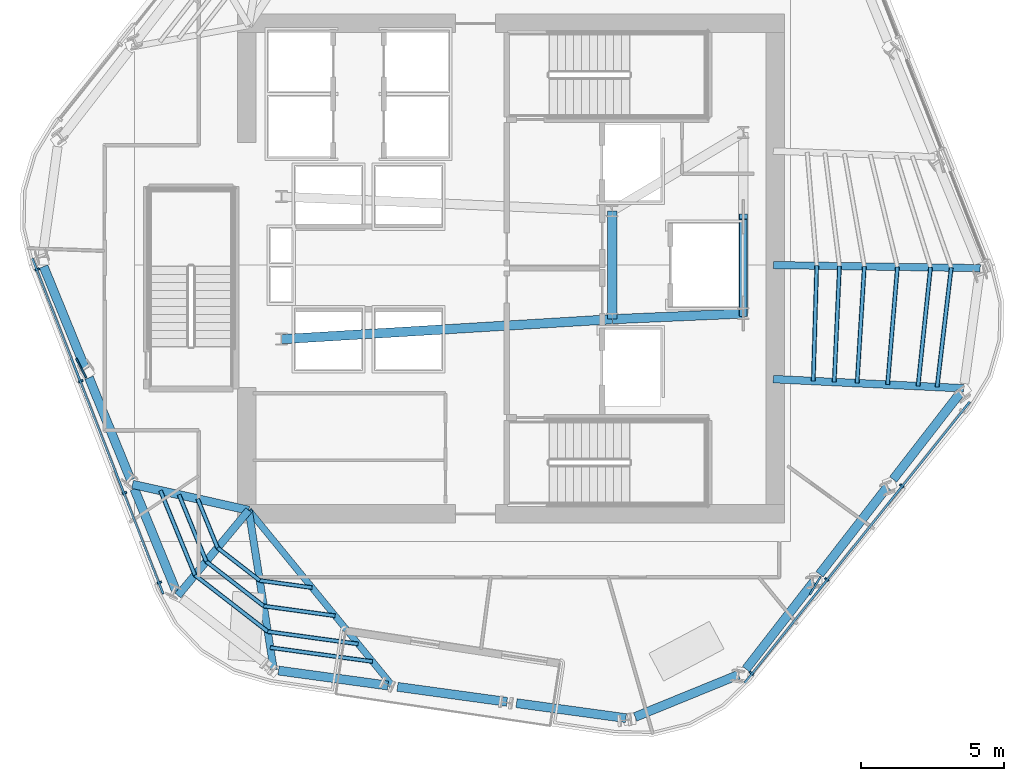
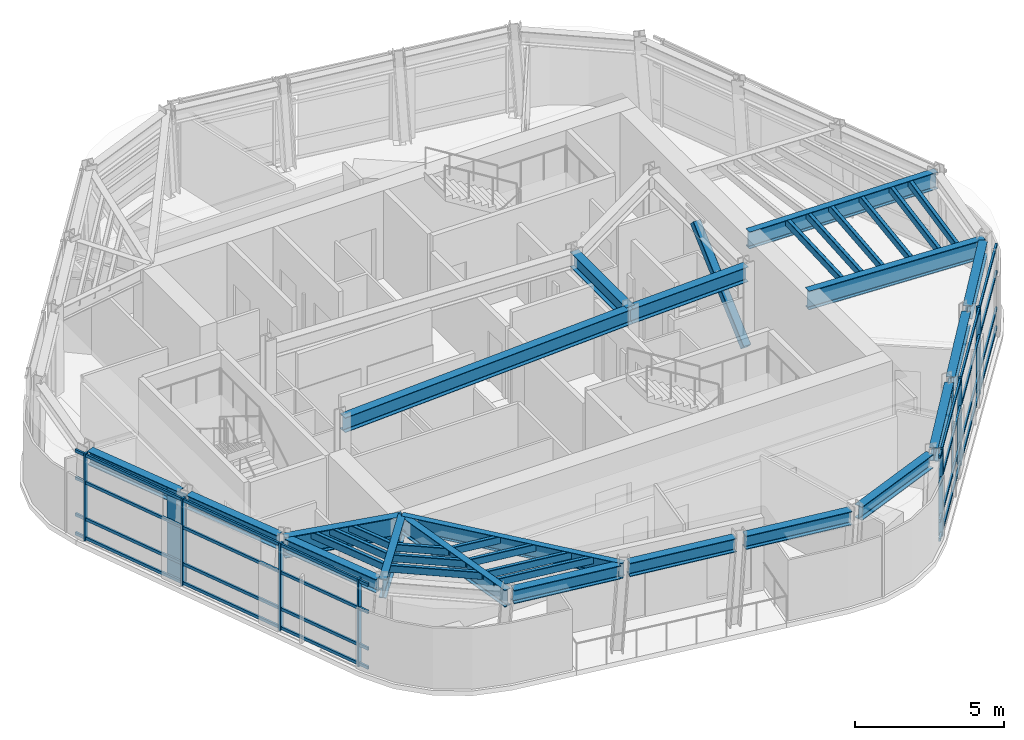
# One storey, part 2 of 12: 34 members, 19 beams, 2 elements without a shape of their own.
"""IFC4 building model written with IfcOpenShell, lengths in metres."""

from ifc_helpers import new_model, si_unit, direction, frame, origin, origin_2d, place, context, subcontext, project, spatial, rectangle, hollow_rectangle, i_section, extrude, material, layer, layer_set, material_profile, profile_set, type_object, element, aggregate, save


model = new_model("IFC4")

# Units and contexts
model_context = context("Model", 3, precision=1e-05, world=origin(), true_north=direction((0.0, 1.0)))
body_context = subcontext(model_context, "Body", "Model", "MODEL_VIEW")
ifc_project = project(units=[si_unit("LENGTHUNIT", "METRE"), si_unit("AREAUNIT", "SQUARE_METRE"), si_unit("VOLUMEUNIT", "CUBIC_METRE"), si_unit("PLANEANGLEUNIT", "RADIAN"), si_unit("MASSUNIT", "GRAM", prefix="KILO")], contexts=[model_context])

# Site, building, storey
site_placement = place(None, origin())
site = spatial("IfcSite", under=ifc_project, at=site_placement, CompositionType="ELEMENT")
building_placement = place(site_placement, origin())
building = spatial("IfcBuilding", under=site, at=building_placement, Name="Valkerne Bourse Tower", CompositionType="ELEMENT")
storey_placement = place(building_placement, frame((0.0, 0.0, 243.60009765625)))
storey = spatial("IfcBuildingStorey", under=building, at=storey_placement, Name="L62", CompositionType="ELEMENT", Elevation=243.60009765625)

# Beams
ifc_material_1 = material(Name="Steel ASTM A992", Category="steel")
ifc_material_profile_1 = material_profile(ifc_material_1, i_section(OverallWidth=0.31494140625, OverallDepth=0.5537109375, WebThickness=0.0166015625, FlangeThickness=0.026123046875, FilletRadius=0.020263671875, at=origin_2d()), Name="W21X132")
ifc_profile_set_1 = profile_set([ifc_material_profile_1], Name="Steel ASTM A992")
beam_type_1 = type_object("IfcBeamType", Name="BM-W21X132", PredefinedType="BEAM", material=ifc_profile_set_1)
for number, where, z_axis, x_axis, name in (
    (1, (30.40478515625, 26.949462890625, 3.322998046875), (0.377871627849, -0.925857998219, 0.0), (0.925857998219, 0.377871627849, 0.0), "L62 Hexagonal Spandrel Ring Beam 08"),
    (2, (31.996337890625, 23.0498046875, 3.322998046875), (0.377871627849, -0.925857998219, 0.0), (0.925857998219, 0.377871627849, 0.0), "L62 Hexagonal Spandrel Ring Beam 09"),
    (3, (33.587890625, 19.14990234375, 3.322998046875), (0.377817576779, -0.925880056312, 0.0), (0.925880056312, 0.377817576779, 0.0), "L62 Hexagonal Spandrel Ring Beam 10"),
):
    element("IfcBeam", number, at=place(storey_placement, frame(where, z_axis=z_axis, x_axis=x_axis)), inside=storey, type_object=beam_type_1, Name=name, PredefinedType="BEAM", context=body_context, shape_type="SweptSolid", body=[
        extrude(i_section(OverallWidth=0.31494140625, OverallDepth=0.5537109375, WebThickness=0.0166015625, FlangeThickness=0.026123046875, FilletRadius=0.020263671875, at=origin_2d()), origin(), (0.0, 0.0, 1.0), 3.8720703125),
    ])
for number, where, z_axis, x_axis, name in (
    (4, (38.64599609375, 12.776123046875, 3.322998046875), (0.990752504612, -0.135681519023, 0.0), (0.135681519023, 0.990752504612, 0.0), "L62 Hexagonal Spandrel Ring Beam 12"),
    (5, (42.819091796875, 12.20458984375, 3.322998046875), (0.990752504612, -0.135681519023, 0.0), (0.135681519023, 0.990752504612, 0.0), "L62 Hexagonal Spandrel Ring Beam 13"),
):
    element("IfcBeam", number, at=place(storey_placement, frame(where, z_axis=z_axis, x_axis=x_axis)), inside=storey, type_object=beam_type_1, Name=name, PredefinedType="BEAM", context=body_context, shape_type="SweptSolid", body=[
        extrude(i_section(OverallWidth=0.31494140625, OverallDepth=0.5537109375, WebThickness=0.0166015625, FlangeThickness=0.026123046875, FilletRadius=0.020263671875, at=origin_2d()), origin(), (0.0, 0.0, 1.0), 3.872314453125),
    ])
beam_1_placement = place(storey_placement, frame((46.9921875, 11.633056640625, 3.322998046875), z_axis=(0.990742865414, -0.135751886288, 0.0), x_axis=(0.135751886288, 0.990742865414, 0.0)))
element("IfcBeam", 6, at=beam_1_placement, inside=storey, type_object=beam_type_1, Name="L62 Hexagonal Spandrel Ring Beam 14", PredefinedType="BEAM", context=body_context, shape_type="SweptSolid", body=[
    extrude(i_section(OverallWidth=0.31494140625, OverallDepth=0.5537109375, WebThickness=0.0166015625, FlangeThickness=0.026123046875, FilletRadius=0.020263671875, at=origin_2d()), origin(), (0.0, 0.0, 1.0), 3.8720703125),
])
beam_2_placement = place(storey_placement, frame((51.154296875, 11.148681640625, 3.322998046875), z_axis=(0.925865451176, 0.377853366161, 0.0), x_axis=(-0.377853366161, 0.925865451176, 0.0)))
element("IfcBeam", 7, at=beam_2_placement, inside=storey, type_object=beam_type_1, Name="L62 Hexagonal Spandrel Ring Beam 15", PredefinedType="BEAM", context=body_context, shape_type="SweptSolid", body=[
    extrude(i_section(OverallWidth=0.31494140625, OverallDepth=0.5537109375, WebThickness=0.0166015625, FlangeThickness=0.026123046875, FilletRadius=0.020263671875, at=origin_2d()), origin(), (0.0, 0.0, 1.0), 3.91552734375),
])
for number, where, z_axis, x_axis, name in (
    (8, (55.041259765625, 12.82666015625, 3.322998046875), (0.6128749443, 0.790179917898, 0.0), (-0.790179917898, 0.6128749443, 0.0), "L62 Hexagonal Spandrel Ring Beam 16"),
    (9, (57.622802734375, 16.15478515625, 3.322998046875), (0.6128749443, 0.790179917898, 0.0), (-0.790179917898, 0.6128749443, 0.0), "L62 Hexagonal Spandrel Ring Beam 17"),
    (10, (60.204345703125, 19.48291015625, 3.322998046875), (0.6128749443, 0.790179917898, 0.0), (-0.790179917898, 0.6128749443, 0.0), "L62 Hexagonal Spandrel Ring Beam 18"),
):
    element("IfcBeam", number, at=place(storey_placement, frame(where, z_axis=z_axis, x_axis=x_axis)), inside=storey, type_object=beam_type_1, Name=name, PredefinedType="BEAM", context=body_context, shape_type="SweptSolid", body=[
        extrude(i_section(OverallWidth=0.31494140625, OverallDepth=0.5537109375, WebThickness=0.0166015625, FlangeThickness=0.026123046875, FilletRadius=0.020263671875, at=origin_2d()), origin(), (0.0, 0.0, 1.0), 3.8720703125),
    ])
ifc_material_profile_2 = material_profile(ifc_material_1, i_section(OverallWidth=0.3251953125, OverallDepth=0.612060546875, WebThickness=0.0126953125, FlangeThickness=0.01904296875, FilletRadius=0.020263671875, at=origin_2d()), Name="W24X104")
ifc_profile_set_2 = profile_set([ifc_material_profile_2], Name="Steel ASTM A992")
beam_type_2 = type_object("IfcBeamType", Name="BM-W24X104", PredefinedType="BEAM", material=ifc_profile_set_2)
beam_3_placement = place(storey_placement, frame((50.35009765625, 25.10009765625, 3.293701171875), z_axis=(0.0, 1.0, 0.0), x_axis=(-1.0, 0.0, 0.0)))
element("IfcBeam", 11, at=beam_3_placement, inside=storey, type_object=beam_type_2, Name="L62 Core Frame Girder CG-CE", PredefinedType="BEAM", context=body_context, shape_type="SweptSolid", body=[
    extrude(i_section(OverallWidth=0.3251953125, OverallDepth=0.612060546875, WebThickness=0.0126953125, FlangeThickness=0.01904296875, FilletRadius=0.020263671875, at=origin_2d()), origin(), (0.0, 0.0, 1.0), 3.7998046875),
])
beam_4_placement = place(storey_placement, frame((50.35009765625, 25.10009765625, 3.293701171875), z_axis=(0.999056558506, 0.043428019819, 0.0), x_axis=(-0.043428019819, 0.999056558506, 0.0)))
element("IfcBeam", 12, at=beam_4_placement, inside=storey, type_object=beam_type_2, Name="L62 Core Frame Girder CG-SE", PredefinedType="BEAM", context=body_context, shape_type="SweptSolid", body=[
    extrude(i_section(OverallWidth=0.3251953125, OverallDepth=0.612060546875, WebThickness=0.0126953125, FlangeThickness=0.01904296875, FilletRadius=0.020263671875, at=origin_2d()), origin(), (0.0, 0.0, 1.0), 4.604248046875),
])
beam_5_placement = place(storey_placement, frame((38.75, 24.39990234375, 3.293701171875), z_axis=(0.998183228389, 0.060251494276, 0.0), x_axis=(-0.060251494276, 0.998183228389, 0.0)))
element("IfcBeam", 13, at=beam_5_placement, inside=storey, type_object=beam_type_2, Name="L62 Core Frame Girder CG-SW", PredefinedType="BEAM", context=body_context, shape_type="SweptSolid", body=[
    extrude(i_section(OverallWidth=0.3251953125, OverallDepth=0.612060546875, WebThickness=0.0126953125, FlangeThickness=0.01904296875, FilletRadius=0.020263671875, at=origin_2d()), origin(), (0.0, 0.0, 1.0), 11.62109375),
])
ifc_material_profile_3 = material_profile(ifc_material_1, i_section(OverallWidth=0.228271484375, OverallDepth=0.607177734375, WebThickness=0.01123046875, FlangeThickness=0.017333984375, FilletRadius=0.017822265625, at=origin_2d()), Name="W24X76")
ifc_profile_set_3 = profile_set([ifc_material_profile_3], Name="Steel ASTM A992")
beam_type_3 = type_object("IfcBeamType", Name="BM-W24X76", PredefinedType="JOIST", material=ifc_profile_set_3)
beam_6_placement = place(storey_placement, frame((42.65087890625, 12.227783203125, 3.29638671875), z_axis=(-0.633302800816, 0.773904104188, 0.0), x_axis=(-0.773904104188, -0.633302800816, 0.0)))
element("IfcBeam", 14, at=beam_6_placement, inside=storey, type_object=beam_type_3, Name="L62 Radial Composite Floor Beam 13", PredefinedType="JOIST", context=body_context, shape_type="SweptSolid", body=[
    extrude(i_section(OverallWidth=0.228271484375, OverallDepth=0.607177734375, WebThickness=0.01123046875, FlangeThickness=0.017333984375, FilletRadius=0.017822265625, at=origin_2d()), origin(), (0.0, 0.0, 1.0), 7.975341796875),
])
ifc_material_profile_4 = material_profile(ifc_material_1, i_section(OverallWidth=0.255859375, OverallDepth=0.693359375, WebThickness=0.014404296875, FlangeThickness=0.023681640625, FilletRadius=0.02294921875, at=origin_2d()), Name="W27X114")
ifc_profile_set_4 = profile_set([ifc_material_profile_4], Name="Steel ASTM A992")
beam_type_4 = type_object("IfcBeamType", Name="BM-W27X114", PredefinedType="BEAM", material=ifc_profile_set_4)
beam_7_placement = place(storey_placement, frame((38.477783203125, 12.79931640625, 3.253173828125), z_axis=(-0.154823539351, 0.987942139836, 0.0), x_axis=(-0.987942139836, -0.154823539351, 0.0)))
element("IfcBeam", 15, at=beam_7_placement, inside=storey, type_object=beam_type_4, Name="L62 Radial Composite Floor Beam 12", PredefinedType="BEAM", context=body_context, shape_type="SweptSolid", body=[
    extrude(i_section(OverallWidth=0.255859375, OverallDepth=0.693359375, WebThickness=0.014404296875, FlangeThickness=0.023681640625, FilletRadius=0.02294921875, at=origin_2d()), origin(), (0.0, 0.0, 1.0), 5.6689453125),
])
beam_8_placement = place(storey_placement, frame((63.25927734375, 26.89306640625, 3.253173828125), z_axis=(-0.999891522197, 0.014729013477, 0.0), x_axis=(-0.014729013477, -0.999891522197, 0.0)))
element("IfcBeam", 16, at=beam_8_placement, inside=storey, type_object=beam_type_4, Name="L62 Radial Composite Floor Beam 20", PredefinedType="BEAM", context=body_context, shape_type="SweptSolid", body=[
    extrude(i_section(OverallWidth=0.255859375, OverallDepth=0.693359375, WebThickness=0.014404296875, FlangeThickness=0.023681640625, FilletRadius=0.02294921875, at=origin_2d()), origin(), (0.0, 0.0, 1.0), 7.260009765625),
])
ifc_material_profile_5 = material_profile(ifc_material_1, i_section(OverallWidth=0.26806640625, OverallDepth=0.76953125, WebThickness=0.015625, FlangeThickness=0.025390625, FilletRadius=0.025390625, at=origin_2d()), Name="W30X132")
ifc_profile_set_5 = profile_set([ifc_material_profile_5], Name="Steel ASTM A992")
beam_type_5 = type_object("IfcBeamType", Name="BM-W30X132", PredefinedType="BEAM", material=ifc_profile_set_5)
beam_9_placement = place(storey_placement, frame((35.114990234375, 15.40771484375, 3.215087890625), z_axis=(0.638911706116, 0.769280073697, 0.0), x_axis=(-0.769280073697, 0.638911706116, 0.0)))
element("IfcBeam", 17, at=beam_9_placement, inside=storey, type_object=beam_type_5, Name="L62 Radial Composite Floor Beam 11", PredefinedType="BEAM", context=body_context, shape_type="SweptSolid", body=[
    extrude(i_section(OverallWidth=0.26806640625, OverallDepth=0.76953125, WebThickness=0.015625, FlangeThickness=0.025390625, FilletRadius=0.025390625, at=origin_2d()), origin(), (0.0, 0.0, 1.0), 3.8896484375),
])
beam_10_placement = place(storey_placement, frame((62.681640625, 22.6767578125, 3.215087890625), z_axis=(-0.998831850703, 0.048321155011, 0.0), x_axis=(-0.048321155011, -0.998831850703, 0.0)))
element("IfcBeam", 18, at=beam_10_placement, inside=storey, type_object=beam_type_5, Name="L62 Radial Composite Floor Beam 19", PredefinedType="BEAM", context=body_context, shape_type="SweptSolid", body=[
    extrude(i_section(OverallWidth=0.26806640625, OverallDepth=0.76953125, WebThickness=0.015625, FlangeThickness=0.025390625, FilletRadius=0.025390625, at=origin_2d()), origin(), (0.0, 0.0, 1.0), 6.689453125),
])
ifc_material_profile_6 = material_profile(ifc_material_1, i_section(OverallWidth=0.2919921875, OverallDepth=0.8583984375, WebThickness=0.01708984375, FlangeThickness=0.031005859375, FilletRadius=0.025390625, at=origin_2d()), Name="W33X169")
ifc_profile_set_6 = profile_set([ifc_material_profile_6], Name="Steel ASTM A992")
beam_type_6 = type_object("IfcBeamType", Name="BM-W33X169", PredefinedType="BEAM", material=ifc_profile_set_6)
beam_11_placement = place(storey_placement, frame((33.523681640625, 19.307373046875, 3.170654296875), z_axis=(0.976105835701, -0.217295645403, 0.0), x_axis=(0.217295645403, 0.976105835701, 0.0)))
element("IfcBeam", 19, at=beam_11_placement, inside=storey, type_object=beam_type_6, Name="L62 Radial Composite Floor Beam 10", PredefinedType="BEAM", context=body_context, shape_type="SweptSolid", body=[
    extrude(i_section(OverallWidth=0.2919921875, OverallDepth=0.8583984375, WebThickness=0.01708984375, FlangeThickness=0.031005859375, FilletRadius=0.025390625, at=origin_2d()), origin(), (0.0, 0.0, 1.0), 4.17626953125),
])

# Curtain wall, members
ifc_material_2 = material(Name="Aluminium AA 6063-T6", Category="aluminium")
ifc_layer = layer(ifc_material_2, 0.239990234375)
ifc_layer_set = layer_set([ifc_layer], Name="Aluminium AA 6063-T6")
curtain_wall_type = type_object("IfcCurtainWallType", Name="CW-04", PredefinedType="NOTDEFINED", material=ifc_layer_set)
curtain_wall_1_placement = place(storey_placement, origin())
curtain_wall_1 = element("IfcCurtainWall", 20, at=curtain_wall_1_placement, inside=storey, type_object=curtain_wall_type, Name="L62 Hexagonal Stick Curtain Wall Face 3", PredefinedType="NOTDEFINED")
ifc_material_profile_7 = material_profile(ifc_material_2, rectangle(XDim=0.074951171875, YDim=0.159912109375, at=origin_2d()), Name="CWM-75X160")
ifc_profile_set_7 = profile_set([ifc_material_profile_7], Name="Aluminium AA 6063-T6")
member_type_1 = type_object("IfcMemberType", Name="CW-MUL-160X75", PredefinedType="MULLION", material=ifc_profile_set_7)
member_1_placement = place(storey_placement, frame((30.18017578125, 26.8505859375, 0.0), z_axis=(0.0, 0.0, 1.0), x_axis=(0.363267586494, -0.931684850474, 0.0)))
member_1 = element("IfcMember", 21, at=member_1_placement, type_object=member_type_1, Name="CW-L62-F3 Jamb Mullion 00A", PredefinedType="MULLION", context=body_context, shape_type="SweptSolid", body=[
    extrude(rectangle(XDim=0.074951171875, YDim=0.159912109375, at=origin_2d()), origin(), (0.0, 0.0, 1.0), 3.599853515625),
])
member_2_placement = place(storey_placement, frame((31.710205078125, 22.926513671875, 0.0), z_axis=(0.0, 0.0, 1.0), x_axis=(0.363246977807, -0.93169288562, 0.0)))
member_2 = element("IfcMember", 22, at=member_2_placement, type_object=member_type_1, Name="CW-L62-F3 Jamb Mullion 01A", PredefinedType="MULLION", context=body_context, shape_type="SweptSolid", body=[
    extrude(rectangle(XDim=0.074951171875, YDim=0.159912109375, at=origin_2d()), origin(), (0.0, 0.0, 1.0), 3.599853515625),
])
member_3_placement = place(storey_placement, frame((33.240234375, 19.002197265625, 0.0), z_axis=(0.0, 0.0, 1.0), x_axis=(0.363246977807, -0.93169288562, 0.0)))
member_3 = element("IfcMember", 23, at=member_3_placement, type_object=member_type_1, Name="CW-L62-F3 Jamb Mullion 02A", PredefinedType="MULLION", context=body_context, shape_type="SweptSolid", body=[
    extrude(rectangle(XDim=0.074951171875, YDim=0.159912109375, at=origin_2d()), origin(), (0.0, 0.0, 1.0), 3.599853515625),
])
member_4_placement = place(storey_placement, frame((34.465087890625, 15.8603515625, 0.0), z_axis=(0.0, 0.0, 1.0), x_axis=(0.363246977807, -0.93169288562, 0.0)))
member_4 = element("IfcMember", 24, at=member_4_placement, type_object=member_type_1, Name="CW-L62-F3 Jamb Mullion 02B", PredefinedType="MULLION", context=body_context, shape_type="SweptSolid", body=[
    extrude(rectangle(XDim=0.074951171875, YDim=0.159912109375, at=origin_2d()), origin(), (0.0, 0.0, 1.0), 3.599853515625),
])

curtain_wall_2_placement = place(storey_placement, origin())
curtain_wall_2 = element("IfcCurtainWall", 25, at=curtain_wall_2_placement, inside=storey, type_object=curtain_wall_type, Name="L62 Hexagonal Stick Curtain Wall Face 5", PredefinedType="NOTDEFINED")
member_5_placement = place(storey_placement, frame((55.2392578125, 12.681396484375, 0.0), z_axis=(0.0, 0.0, 1.0), x_axis=(0.625236322799, 0.780435481416, 0.0)))
member_5 = element("IfcMember", 26, at=member_5_placement, type_object=member_type_1, Name="CW-L62-F5 Jamb Mullion 00A", PredefinedType="MULLION", context=body_context, shape_type="SweptSolid", body=[
    extrude(rectangle(XDim=0.074951171875, YDim=0.159912109375, at=origin_2d()), origin(), (0.0, 0.0, 1.0), 3.599853515625),
])
member_6_placement = place(storey_placement, frame((57.872802734375, 15.96875, 0.0), z_axis=(0.0, 0.0, 1.0), x_axis=(0.625236322799, 0.780435481416, 0.0)))
member_6 = element("IfcMember", 27, at=member_6_placement, type_object=member_type_1, Name="CW-L62-F5 Jamb Mullion 01A", PredefinedType="MULLION", context=body_context, shape_type="SweptSolid", body=[
    extrude(rectangle(XDim=0.074951171875, YDim=0.159912109375, at=origin_2d()), origin(), (0.0, 0.0, 1.0), 3.599853515625),
])
member_7_placement = place(storey_placement, frame((60.506103515625, 19.255859375, 0.0), z_axis=(0.0, 0.0, 1.0), x_axis=(0.625236322799, 0.780435481416, 0.0)))
member_7 = element("IfcMember", 28, at=member_7_placement, type_object=member_type_1, Name="CW-L62-F5 Jamb Mullion 02A", PredefinedType="MULLION", context=body_context, shape_type="SweptSolid", body=[
    extrude(rectangle(XDim=0.074951171875, YDim=0.159912109375, at=origin_2d()), origin(), (0.0, 0.0, 1.0), 3.599853515625),
])

# Member
ifc_material_profile_8 = material_profile(ifc_material_2, rectangle(XDim=0.074951171875, YDim=0.1201171875, at=origin_2d()), Name="CWT-75X120")
ifc_profile_set_8 = profile_set([ifc_material_profile_8], Name="Aluminium AA 6063-T6")
member_type_2 = type_object("IfcMemberType", Name="CW-TRN-120X75", PredefinedType="USERDEFINED", material=ifc_profile_set_8)
member_8_placement = place(storey_placement, frame((30.009033203125, 27.234619140625, 0.119873046875), z_axis=(0.363258236345, -0.93168849608, 0.0), x_axis=(0.93168849608, 0.363258236345, 0.0)))
member_8 = element("IfcMember", 29, at=member_8_placement, type_object=member_type_2, Name="CW-L62-F3 Continuous Face Transom 1", ObjectType="TRANSOM", PredefinedType="USERDEFINED", context=body_context, shape_type="SweptSolid", body=[
    extrude(rectangle(XDim=0.074951171875, YDim=0.1201171875, at=origin_2d()), origin(), (0.0, 0.0, 1.0), 12.635986328125),
])

member_9_placement = place(storey_placement, frame((30.009033203125, 27.234619140625, 0.89990234375), z_axis=(0.363258236345, -0.93168849608, 0.0), x_axis=(0.93168849608, 0.363258236345, 0.0)))
member_9 = element("IfcMember", 30, at=member_9_placement, type_object=member_type_2, Name="CW-L62-F3 Continuous Face Transom 2", ObjectType="TRANSOM", PredefinedType="USERDEFINED", context=body_context, shape_type="SweptSolid", body=[
    extrude(rectangle(XDim=0.074951171875, YDim=0.1201171875, at=origin_2d()), origin(), (0.0, 0.0, 1.0), 12.635986328125),
])

member_10_placement = place(storey_placement, frame((30.009033203125, 27.234619140625, 2.39990234375), z_axis=(0.363258236345, -0.93168849608, 0.0), x_axis=(0.93168849608, 0.363258236345, 0.0)))
member_10 = element("IfcMember", 31, at=member_10_placement, type_object=member_type_2, Name="CW-L62-F3 Continuous Face Transom 3", ObjectType="TRANSOM", PredefinedType="USERDEFINED", context=body_context, shape_type="SweptSolid", body=[
    extrude(rectangle(XDim=0.074951171875, YDim=0.1201171875, at=origin_2d()), origin(), (0.0, 0.0, 1.0), 12.635986328125),
])

member_11_placement = place(storey_placement, frame((30.009033203125, 27.234619140625, 3.52001953125), z_axis=(0.363258236345, -0.93168849608, 0.0), x_axis=(0.93168849608, 0.363258236345, 0.0)))
member_11 = element("IfcMember", 32, at=member_11_placement, type_object=member_type_2, Name="CW-L62-F3 Continuous Face Transom 4", ObjectType="TRANSOM", PredefinedType="USERDEFINED", context=body_context, shape_type="SweptSolid", body=[
    extrude(rectangle(XDim=0.074951171875, YDim=0.1201171875, at=origin_2d()), origin(), (0.0, 0.0, 1.0), 12.635986328125),
])

aggregate(curtain_wall_1, [member_8, member_9, member_10, member_11, member_1, member_2, member_3, member_4])

member_12_placement = place(storey_placement, frame((54.9921875, 12.34130859375, 0.119873046875), z_axis=(0.625243889684, 0.780429419239, 0.0), x_axis=(-0.780429419239, 0.625243889684, 0.0)))
member_12 = element("IfcMember", 33, at=member_12_placement, type_object=member_type_2, Name="CW-L62-F5 Continuous Face Transom 1", ObjectType="TRANSOM", PredefinedType="USERDEFINED", context=body_context, shape_type="SweptSolid", body=[
    extrude(rectangle(XDim=0.074951171875, YDim=0.1201171875, at=origin_2d()), origin(), (0.0, 0.0, 1.0), 12.635986328125),
])

member_13_placement = place(storey_placement, frame((54.9921875, 12.34130859375, 0.89990234375), z_axis=(0.625243889684, 0.780429419239, 0.0), x_axis=(-0.780429419239, 0.625243889684, 0.0)))
member_13 = element("IfcMember", 34, at=member_13_placement, type_object=member_type_2, Name="CW-L62-F5 Continuous Face Transom 2", ObjectType="TRANSOM", PredefinedType="USERDEFINED", context=body_context, shape_type="SweptSolid", body=[
    extrude(rectangle(XDim=0.074951171875, YDim=0.1201171875, at=origin_2d()), origin(), (0.0, 0.0, 1.0), 12.635986328125),
])

member_14_placement = place(storey_placement, frame((54.9921875, 12.34130859375, 2.39990234375), z_axis=(0.625243889684, 0.780429419239, 0.0), x_axis=(-0.780429419239, 0.625243889684, 0.0)))
member_14 = element("IfcMember", 35, at=member_14_placement, type_object=member_type_2, Name="CW-L62-F5 Continuous Face Transom 3", ObjectType="TRANSOM", PredefinedType="USERDEFINED", context=body_context, shape_type="SweptSolid", body=[
    extrude(rectangle(XDim=0.074951171875, YDim=0.1201171875, at=origin_2d()), origin(), (0.0, 0.0, 1.0), 12.635986328125),
])

member_15_placement = place(storey_placement, frame((54.9921875, 12.34130859375, 3.52001953125), z_axis=(0.625243889684, 0.780429419239, 0.0), x_axis=(-0.780429419239, 0.625243889684, 0.0)))
member_15 = element("IfcMember", 36, at=member_15_placement, type_object=member_type_2, Name="CW-L62-F5 Continuous Face Transom 4", ObjectType="TRANSOM", PredefinedType="USERDEFINED", context=body_context, shape_type="SweptSolid", body=[
    extrude(rectangle(XDim=0.074951171875, YDim=0.1201171875, at=origin_2d()), origin(), (0.0, 0.0, 1.0), 12.635986328125),
])

aggregate(curtain_wall_2, [member_12, member_13, member_14, member_15, member_5, member_6, member_7])

# Members
ifc_material_3 = material(Name="Bronze Anodised Aluminium AA 6063-T6", Category="aluminium")
ifc_material_profile_9 = material_profile(ifc_material_3, rectangle(XDim=0.06494140625, YDim=0.75, at=origin_2d()), Name="FIN-65X750")
ifc_profile_set_9 = profile_set([ifc_material_profile_9], Name="Bronze Anodised Aluminium AA 6063-T6")
member_type_3 = type_object("IfcMemberType", Name="FIN-SOLAR-650", PredefinedType="USERDEFINED", material=ifc_profile_set_9)
for number, where, z_axis, x_axis, name in (
    (37, (31.725341796875, 23.383056640625, 0.00390625), (0.0, 0.0, 1.0), (-0.890523620796, -0.454937007512, 0.0), "L62 Bronze Anodised Solar Fin F3-01"),
    (38, (57.4697265625, 15.75341796875, 0.00390625), (0.0, 0.0, 1.0), (0.861362849665, -0.507990197953, 0.0), "L62 Bronze Anodised Solar Fin F5-01"),
):
    element("IfcMember", number, at=place(storey_placement, frame(where, z_axis=z_axis, x_axis=x_axis)), inside=storey, type_object=member_type_3, Name=name, ObjectType="SOLAR_FIN", PredefinedType="USERDEFINED", context=body_context, shape_type="SweptSolid", body=[
        extrude(rectangle(XDim=0.06494140625, YDim=0.75, at=origin_2d()), origin(), (0.0, 0.0, 1.0), 3.592041015625),
    ])
ifc_material_4 = material(Name="Steel ASTM A500 Grade C", Category="steel")
ifc_material_profile_10 = material_profile(ifc_material_4, hollow_rectangle(XDim=0.14990234375, YDim=0.300048828125, WallThickness=0.012451171875, OuterFilletRadius=0.02490234375, at=origin_2d()), Name="HSS300X150X12.5")
ifc_profile_set_10 = profile_set([ifc_material_profile_10], Name="Steel ASTM A500 Grade C")
member_type_4 = type_object("IfcMemberType", Name="MBR-HSS300X150X12.5", PredefinedType="PURLIN", material=ifc_profile_set_10)
member_16_placement = place(storey_placement, frame((58.13818359375, 22.896484375, 3.43994140625), z_axis=(0.045369600074, 0.998970269522, 0.0), x_axis=(-0.998970269522, 0.045369600074, 0.0)))
element("IfcMember", 39, at=member_16_placement, inside=storey, type_object=member_type_4, Name="L62 Secondary Composite Floor Purlin I-19", PredefinedType="PURLIN", context=body_context, shape_type="SweptSolid", body=[
    extrude(hollow_rectangle(XDim=0.14990234375, YDim=0.300048828125, WallThickness=0.012451171875, OuterFilletRadius=0.02490234375, at=origin_2d()), origin(), (0.0, 0.0, 1.0), 4.073486328125),
])
member_17_placement = place(storey_placement, frame((35.806396484375, 18.79931640625, 3.43994140625), z_axis=(0.377786385501, -0.925892783712, 0.0), x_axis=(0.925892783712, 0.377786385501, 0.0)))
element("IfcMember", 40, at=member_17_placement, inside=storey, type_object=member_type_4, Name="L62 Secondary Composite Floor Purlin K-10", PredefinedType="PURLIN", context=body_context, shape_type="SweptSolid", body=[
    extrude(hollow_rectangle(XDim=0.14990234375, YDim=0.300048828125, WallThickness=0.012451171875, OuterFilletRadius=0.02490234375, at=origin_2d()), origin(), (0.0, 0.0, 1.0), 1.853515625),
])
member_18_placement = place(storey_placement, frame((36.506591796875, 17.083251953125, 3.43994140625), z_axis=(0.790194026701, -0.612856753382, 0.0), x_axis=(0.612856753382, 0.790194026701, 0.0)))
element("IfcMember", 41, at=member_18_placement, inside=storey, type_object=member_type_4, Name="L62 Secondary Composite Floor Purlin K-11", PredefinedType="PURLIN", context=body_context, shape_type="SweptSolid", body=[
    extrude(hollow_rectangle(XDim=0.14990234375, YDim=0.300048828125, WallThickness=0.012451171875, OuterFilletRadius=0.02490234375, at=origin_2d()), origin(), (0.0, 0.0, 1.0), 1.872314453125),
])
member_19_placement = place(storey_placement, frame((37.986083984375, 15.935791015625, 3.43994140625), z_axis=(0.990736960355, -0.135794975555, 0.0), x_axis=(0.135794975555, 0.990736960355, 0.0)))
element("IfcMember", 42, at=member_19_placement, inside=storey, type_object=member_type_4, Name="L62 Secondary Composite Floor Purlin K-12", PredefinedType="PURLIN", context=body_context, shape_type="SweptSolid", body=[
    extrude(hollow_rectangle(XDim=0.14990234375, YDim=0.300048828125, WallThickness=0.012451171875, OuterFilletRadius=0.02490234375, at=origin_2d()), origin(), (0.0, 0.0, 1.0), 1.853515625),
])
member_20_placement = place(storey_placement, frame((58.93994140625, 22.85791015625, 3.43994140625), z_axis=(0.061944842115, 0.99807957425, 0.0), x_axis=(-0.99807957425, 0.061944842115, 0.0)))
element("IfcMember", 43, at=member_20_placement, inside=storey, type_object=member_type_4, Name="L62 Secondary Composite Floor Purlin K-19", PredefinedType="PURLIN", context=body_context, shape_type="SweptSolid", body=[
    extrude(hollow_rectangle(XDim=0.14990234375, YDim=0.300048828125, WallThickness=0.012451171875, OuterFilletRadius=0.02490234375, at=origin_2d()), origin(), (0.0, 0.0, 1.0), 4.102783203125),
])
member_21_placement = place(storey_placement, frame((34.501953125, 19.089599609375, 3.43994140625), z_axis=(0.377824950036, -0.925877047523, 0.0), x_axis=(0.925877047523, 0.377824950036, 0.0)))
element("IfcMember", 44, at=member_21_placement, inside=storey, type_object=member_type_4, Name="L62 Secondary Composite Floor Purlin O-10", PredefinedType="PURLIN", context=body_context, shape_type="SweptSolid", body=[
    extrude(hollow_rectangle(XDim=0.14990234375, YDim=0.300048828125, WallThickness=0.012451171875, OuterFilletRadius=0.02490234375, at=origin_2d()), origin(), (0.0, 0.0, 1.0), 3.201171875),
])
member_22_placement = place(storey_placement, frame((35.71142578125, 16.125732421875, 3.43994140625), z_axis=(0.790184736824, -0.612868731207, 0.0), x_axis=(0.612868731207, 0.790184736824, 0.0)))
element("IfcMember", 45, at=member_22_placement, inside=storey, type_object=member_type_4, Name="L62 Secondary Composite Floor Purlin O-11", PredefinedType="PURLIN", context=body_context, shape_type="SweptSolid", body=[
    extrude(hollow_rectangle(XDim=0.14990234375, YDim=0.300048828125, WallThickness=0.012451171875, OuterFilletRadius=0.02490234375, at=origin_2d()), origin(), (0.0, 0.0, 1.0), 3.234375),
])
member_23_placement = place(storey_placement, frame((38.26708984375, 14.1435546875, 3.43994140625), z_axis=(0.990743180704, -0.135749585225, 0.0), x_axis=(0.135749585225, 0.990743180704, 0.0)))
element("IfcMember", 46, at=member_23_placement, inside=storey, type_object=member_type_4, Name="L62 Secondary Composite Floor Purlin O-12", PredefinedType="PURLIN", context=body_context, shape_type="SweptSolid", body=[
    extrude(hollow_rectangle(XDim=0.14990234375, YDim=0.300048828125, WallThickness=0.012451171875, OuterFilletRadius=0.02490234375, at=origin_2d()), origin(), (0.0, 0.0, 1.0), 3.201171875),
])
member_24_placement = place(storey_placement, frame((61.078125, 22.75439453125, 3.43994140625), z_axis=(0.104830463348, 0.99449010752, 0.0), x_axis=(-0.99449010752, 0.104830463348, 0.0)))
element("IfcMember", 47, at=member_24_placement, inside=storey, type_object=member_type_4, Name="L62 Secondary Composite Floor Purlin O-19", PredefinedType="PURLIN", context=body_context, shape_type="SweptSolid", body=[
    extrude(hollow_rectangle(XDim=0.14990234375, YDim=0.300048828125, WallThickness=0.012451171875, OuterFilletRadius=0.02490234375, at=origin_2d()), origin(), (0.0, 0.0, 1.0), 4.1875),
])
member_25_placement = place(storey_placement, frame((35.154296875, 18.9443359375, 3.43994140625), z_axis=(0.377827706009, -0.925875922882, 0.0), x_axis=(0.925875922882, 0.377827706009, 0.0)))
element("IfcMember", 48, at=member_25_placement, inside=storey, type_object=member_type_4, Name="L62 Secondary Composite Floor Purlin Z-10", PredefinedType="PURLIN", context=body_context, shape_type="SweptSolid", body=[
    extrude(hollow_rectangle(XDim=0.14990234375, YDim=0.300048828125, WallThickness=0.012451171875, OuterFilletRadius=0.02490234375, at=origin_2d()), origin(), (0.0, 0.0, 1.0), 2.527099609375),
])
member_26_placement = place(storey_placement, frame((36.109130859375, 16.6044921875, 3.43994140625), z_axis=(0.79016499019, -0.612894190116, 0.0), x_axis=(0.612894190116, 0.79016499019, 0.0)))
element("IfcMember", 49, at=member_26_placement, inside=storey, type_object=member_type_4, Name="L62 Secondary Composite Floor Purlin Z-11", PredefinedType="PURLIN", context=body_context, shape_type="SweptSolid", body=[
    extrude(hollow_rectangle(XDim=0.14990234375, YDim=0.300048828125, WallThickness=0.012451171875, OuterFilletRadius=0.02490234375, at=origin_2d()), origin(), (0.0, 0.0, 1.0), 2.553466796875),
])
member_27_placement = place(storey_placement, frame((38.126708984375, 15.03955078125, 3.43994140625), z_axis=(0.990746505725, -0.135725315966, 0.0), x_axis=(0.135725315966, 0.990746505725, 0.0)))
element("IfcMember", 50, at=member_27_placement, inside=storey, type_object=member_type_4, Name="L62 Secondary Composite Floor Purlin Z-12", PredefinedType="PURLIN", context=body_context, shape_type="SweptSolid", body=[
    extrude(hollow_rectangle(XDim=0.14990234375, YDim=0.300048828125, WallThickness=0.012451171875, OuterFilletRadius=0.02490234375, at=origin_2d()), origin(), (0.0, 0.0, 1.0), 2.52734375),
])
member_28_placement = place(storey_placement, frame((60.009033203125, 22.80615234375, 3.43994140625), z_axis=(0.083654897771, 0.996494785776, 0.0), x_axis=(-0.996494785776, 0.083654897771, 0.0)))
element("IfcMember", 51, at=member_28_placement, inside=storey, type_object=member_type_4, Name="L62 Secondary Composite Floor Purlin Z-19", PredefinedType="PURLIN", context=body_context, shape_type="SweptSolid", body=[
    extrude(hollow_rectangle(XDim=0.14990234375, YDim=0.300048828125, WallThickness=0.012451171875, OuterFilletRadius=0.02490234375, at=origin_2d()), origin(), (0.0, 0.0, 1.0), 4.14404296875),
])
member_29_placement = place(storey_placement, frame((57.4033203125, 22.93212890625, 3.43994140625), z_axis=(0.029920213394, 0.999552290193, 0.0), x_axis=(-0.999552290193, 0.029920213394, 0.0)))
element("IfcMember", 52, at=member_29_placement, inside=storey, type_object=member_type_4, Name="L62 Secondary Composite Floor Purlin S-19", PredefinedType="PURLIN", context=body_context, shape_type="SweptSolid", body=[
    extrude(hollow_rectangle(XDim=0.14990234375, YDim=0.300048828125, WallThickness=0.012451171875, OuterFilletRadius=0.02490234375, at=origin_2d()), origin(), (0.0, 0.0, 1.0), 4.047119140625),
])
member_30_placement = place(storey_placement, frame((38.354736328125, 13.58349609375, 3.43994140625), z_axis=(0.990744664067, -0.135738758737, 0.0), x_axis=(0.135738758737, 0.990744664067, 0.0)))
element("IfcMember", 53, at=member_30_placement, inside=storey, type_object=member_type_4, Name="L62 Secondary Composite Floor Purlin T-12", PredefinedType="PURLIN", context=body_context, shape_type="SweptSolid", body=[
    extrude(hollow_rectangle(XDim=0.14990234375, YDim=0.300048828125, WallThickness=0.012451171875, OuterFilletRadius=0.02490234375, at=origin_2d()), origin(), (0.0, 0.0, 1.0), 3.622314453125),
])
member_31_placement = place(storey_placement, frame((61.746337890625, 22.721923828125, 3.43994140625), z_axis=(0.117795476894, 0.993037877235, 0.0), x_axis=(-0.993037877235, 0.117795476894, 0.0)))
element("IfcMember", 54, at=member_31_placement, inside=storey, type_object=member_type_4, Name="L62 Secondary Composite Floor Purlin T-19", PredefinedType="PURLIN", context=body_context, shape_type="SweptSolid", body=[
    extrude(hollow_rectangle(XDim=0.14990234375, YDim=0.300048828125, WallThickness=0.012451171875, OuterFilletRadius=0.02490234375, at=origin_2d()), origin(), (0.0, 0.0, 1.0), 4.215576171875),
])
ifc_material_profile_11 = material_profile(ifc_material_4, hollow_rectangle(XDim=0.300048828125, YDim=0.300048828125, WallThickness=0.012451171875, OuterFilletRadius=0.02490234375, at=origin_2d()), Name="HSS300X300X12.5")
ifc_profile_set_11 = profile_set([ifc_material_profile_11], Name="Steel ASTM A500 Grade C")
member_type_5 = type_object("IfcMemberType", Name="MBR-HSS300X300X12.5", PredefinedType="STRUT", material=ifc_profile_set_11)
member_32_placement = place(storey_placement, frame((54.949951171875, 25.300048828125, 0.219970703125), z_axis=(0.0, 0.741793158493, 0.670628742311), x_axis=(-1.0, 0.0, 0.0)))
element("IfcMember", 55, at=member_32_placement, inside=storey, type_object=member_type_5, Name="L62 Core Service Pier Lateral Brace", PredefinedType="STRUT", context=body_context, shape_type="SweptSolid", body=[
    extrude(hollow_rectangle(XDim=0.300048828125, YDim=0.300048828125, WallThickness=0.012451171875, OuterFilletRadius=0.02490234375, at=origin_2d()), origin(), (0.0, 0.0, 1.0), 4.583251953125),
])

save(model, "model.ifc")
